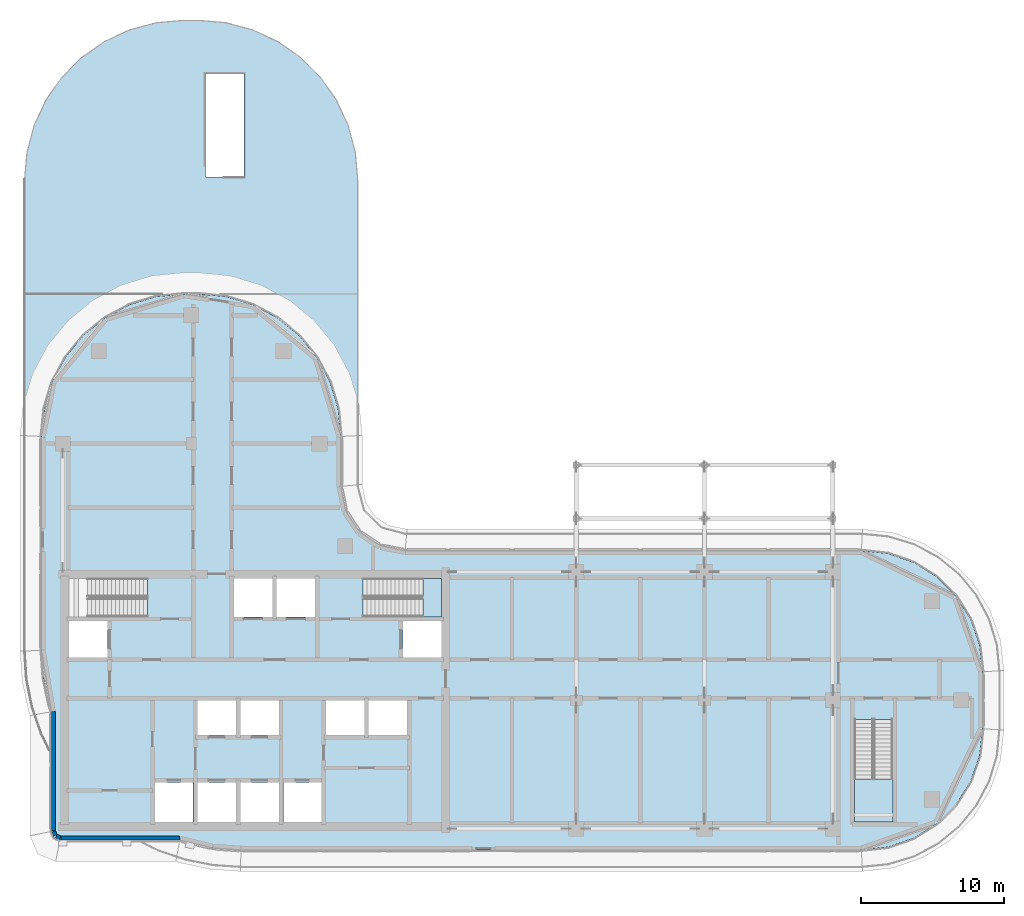
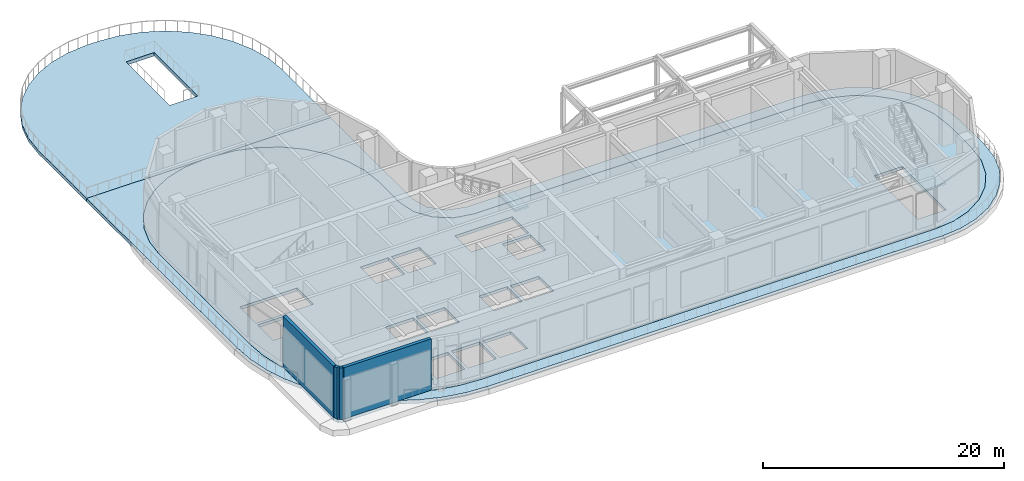
# One storey, part 3 of 18: 6 slabs, 4 walls, 2 elements without a shape of their own.
"""IFC4 building model written with IfcOpenShell, lengths in metres."""

from ifc_helpers import new_model, si_unit, direction, frame, frame_2d, origin, place, context, subcontext, project, spatial, polyline, rectangle, outline, extrude, material, layer, layer_set, type_object, element, aggregate, save


model = new_model("IFC4")

# Units and contexts
model_context = context("Model", 3, precision=1e-05, world=origin(), true_north=direction((0.0, 1.0)))
body_context = subcontext(model_context, "Body", "Model", "MODEL_VIEW")
ifc_project = project(units=[si_unit("LENGTHUNIT", "METRE"), si_unit("AREAUNIT", "SQUARE_METRE"), si_unit("VOLUMEUNIT", "CUBIC_METRE"), si_unit("PLANEANGLEUNIT", "RADIAN"), si_unit("MASSUNIT", "GRAM", prefix="KILO")], contexts=[model_context])

# Site, building, storey
site_placement = place(None, origin())
site = spatial("IfcSite", under=ifc_project, at=site_placement, CompositionType="ELEMENT")
building_placement = place(site_placement, origin())
building = spatial("IfcBuilding", under=site, at=building_placement, Name="Ogive Portal Towers", CompositionType="ELEMENT")
storey_placement = place(building_placement, frame((0.0, 0.0, 190.300048828125)))
storey = spatial("IfcBuildingStorey", under=building, at=storey_placement, Name="L47", CompositionType="ELEMENT", Elevation=190.300048828125)

# Stair, slab
ifc_material_1 = material(Name="Concrete C40/50", Category="concrete")
stair_type = type_object("IfcStairType", Name="INT-STAIR", PredefinedType="HALF_TURN_STAIR", material=ifc_material_1)
stair_1_placement = place(storey_placement, origin())
stair_1 = element("IfcStair", 1, at=stair_1_placement, inside=storey, type_object=stair_type, Name="L47 Exit Stair ST-A2", PredefinedType="HALF_TURN_STAIR")
ifc_layer_1 = layer(ifc_material_1, 0.199951171875)
ifc_layer_set_1 = layer_set([ifc_layer_1], Name="INT-LANDING")
slab_type_1 = type_object("IfcSlabType", Name="INT-LANDING", PredefinedType="LANDING", material=ifc_layer_set_1)
slab_1_placement = place(storey_placement, frame((0.0, 0.0, 2.550048828125)))
slab_1 = element("IfcSlab", 2, at=slab_1_placement, type_object=slab_type_1, Name="ST-A2 landing 1", PredefinedType="LANDING", context=body_context, shape_type="SweptSolid", body=[
    extrude(outline(polyline([(56.75, 36.35009765625), (58.050048828125, 36.35009765625), (58.050048828125, 39.050048828125), (56.75, 39.050048828125), (56.75, 36.35009765625)])), origin(), (0.0, 0.0, 1.0), 0.199951171875),
])
aggregate(stair_1, [slab_1])

stair_2_placement = place(storey_placement, origin())
stair_2 = element("IfcStair", 3, at=stair_2_placement, inside=storey, type_object=stair_type, Name="L47 Exit Stair ST-A4", PredefinedType="HALF_TURN_STAIR")
slab_2_placement = place(storey_placement, frame((0.0, 0.0, 2.550048828125)))
slab_2 = element("IfcSlab", 4, at=slab_2_placement, type_object=slab_type_1, Name="ST-A4 landing 1", PredefinedType="LANDING", context=body_context, shape_type="SweptSolid", body=[
    extrude(outline(polyline([(87.0, 24.969970703125), (87.0, 21.949951171875), (89.699951171875, 21.949951171875), (89.699951171875, 24.969970703125), (87.0, 24.969970703125)])), origin(), (0.0, 0.0, 1.0), 0.199951171875),
])
aggregate(stair_2, [slab_2])

# Slabs
ifc_material_2 = material(Name="Concrete C45/55", Category="concrete")
ifc_layer_2 = layer(ifc_material_2, 0.300048828125)
ifc_layer_set_2 = layer_set([ifc_layer_2], Name="PT FLAT PLATE 300")
slab_type_2 = type_object("IfcSlabType", Name="PT FLAT PLATE 300", PredefinedType="FLOOR", material=ifc_layer_set_2)
slab_3_placement = place(storey_placement, frame((0.0, 0.0, -0.300048828125)))
element("IfcSlab", 5, at=slab_3_placement, inside=storey, type_object=slab_type_2, Name="Floor slab L47", PredefinedType="FLOOR", context=body_context, shape_type="SweptSolid", body=[
    extrude(outline(polyline([(30.142578125, 32.007568359375), (30.567138671875, 30.0556640625), (30.699951171875, 29.699462890625), (30.699951171875, 21.300048828125), (30.875732421875, 20.875732421875), (31.300048828125, 20.699951171875), (39.699462890625, 20.699951171875), (40.0556640625, 20.567138671875), (42.007568359375, 20.142578125), (44.0, 20.0), (87.5, 20.0), (89.391357421875, 20.213134765625), (91.18798828125, 20.841796875), (92.7998046875, 21.8544921875), (94.1455078125, 23.2001953125), (95.158203125, 24.81201171875), (95.786865234375, 26.608642578125), (96.0, 28.5), (96.0, 32.5), (95.786865234375, 34.391357421875), (95.158203125, 36.18798828125), (94.1455078125, 37.7998046875), (92.7998046875, 39.1455078125), (91.18798828125, 40.158203125), (89.391357421875, 40.786865234375), (87.5, 41.0), (55.5, 41.0), (53.77783203125, 41.342529296875), (52.318115234375, 42.318115234375), (51.342529296875, 43.77783203125), (51.0, 45.5), (51.0, 49.0), (50.807861328125, 50.950927734375), (50.23876953125, 52.826904296875), (49.314697265625, 54.5556640625), (48.071044921875, 56.071044921875), (46.5556640625, 57.314697265625), (44.826904296875, 58.23876953125), (42.950927734375, 58.807861328125), (41.0, 59.0), (40.0, 59.0), (38.049072265625, 58.807861328125), (36.173095703125, 58.23876953125), (34.4443359375, 57.314697265625), (32.928955078125, 56.071044921875), (31.685302734375, 54.5556640625), (30.76123046875, 52.826904296875), (30.192138671875, 50.950927734375), (30.0, 49.0), (30.0, 34.0), (30.142578125, 32.007568359375)]), holes=[polyline([(40.6298828125, 21.969970703125), (37.969970703125, 21.969970703125), (37.969970703125, 24.72998046875), (40.6298828125, 24.72998046875), (40.6298828125, 21.969970703125)]), polyline([(43.64990234375, 24.75), (43.64990234375, 21.949951171875), (40.949951171875, 21.949951171875), (40.949951171875, 24.75), (43.64990234375, 24.75)]), polyline([(46.64990234375, 24.75), (46.64990234375, 21.949951171875), (43.949951171875, 21.949951171875), (43.949951171875, 24.75), (46.64990234375, 24.75)]), polyline([(43.64990234375, 30.5), (43.64990234375, 28.050048828125), (40.949951171875, 28.050048828125), (40.949951171875, 30.5), (43.64990234375, 30.5)]), polyline([(34.64990234375, 36.050048828125), (34.64990234375, 33.5), (31.949951171875, 33.5), (31.949951171875, 36.050048828125), (34.64990234375, 36.050048828125)]), polyline([(31.951904296875, 39.048095703125), (37.447998046875, 39.048095703125), (37.447998046875, 36.35205078125), (31.951904296875, 36.35205078125), (31.951904296875, 39.048095703125)]), polyline([(46.199951171875, 39.050048828125), (46.199951171875, 36.35009765625), (43.5, 36.35009765625), (43.5, 39.050048828125), (46.199951171875, 39.050048828125)]), polyline([(49.6298828125, 21.969970703125), (46.969970703125, 21.969970703125), (46.969970703125, 24.72998046875), (49.6298828125, 24.72998046875), (49.6298828125, 21.969970703125)]), polyline([(87.001953125, 21.951904296875), (87.001953125, 29.16796875), (89.697998046875, 29.16796875), (89.697998046875, 21.951904296875), (87.001953125, 21.951904296875)]), polyline([(46.64990234375, 30.5), (46.64990234375, 28.050048828125), (43.949951171875, 28.050048828125), (43.949951171875, 30.5), (46.64990234375, 30.5)]), polyline([(52.64990234375, 30.5), (52.64990234375, 28.050048828125), (49.949951171875, 28.050048828125), (49.949951171875, 30.5), (52.64990234375, 30.5)]), polyline([(55.64990234375, 30.5), (55.64990234375, 28.050048828125), (52.949951171875, 28.050048828125), (52.949951171875, 30.5), (55.64990234375, 30.5)]), polyline([(58.050048828125, 36.050048828125), (58.050048828125, 33.5), (55.35009765625, 33.5), (55.35009765625, 36.050048828125), (58.050048828125, 36.050048828125)]), polyline([(49.199951171875, 39.050048828125), (49.199951171875, 36.35009765625), (46.5, 36.35009765625), (46.5, 39.050048828125), (49.199951171875, 39.050048828125)]), polyline([(58.048095703125, 36.35205078125), (52.552001953125, 36.35205078125), (52.552001953125, 39.048095703125), (58.048095703125, 39.048095703125), (58.048095703125, 36.35205078125)])]), origin(), (0.0, 0.0, 1.0), 0.300048828125),
])
ifc_layer_3 = layer(ifc_material_1, 0.35009765625)
ifc_layer_set_3 = layer_set([ifc_layer_3], Name="ROOF SLAB 350")
slab_type_3 = type_object("IfcSlabType", Name="ROOF SLAB 350", PredefinedType="ROOF", material=ifc_layer_set_3)
slab_4_placement = place(storey_placement, frame((0.0, 0.0, -0.35009765625)))
element("IfcSlab", 6, at=slab_4_placement, inside=storey, type_object=slab_type_3, Name="Sky garden roof", PredefinedType="ROOF", context=body_context, shape_type="SweptSolid", body=[
    extrude(outline(polyline([(28.98974609375, 68.94140625), (29.494140625, 70.82373046875), (30.31787109375, 72.590087890625), (31.435546875, 74.186279296875), (32.813720703125, 75.564453125), (34.409912109375, 76.68212890625), (36.17626953125, 77.505859375), (38.05859375, 78.01025390625), (40.0, 78.179931640625), (41.0, 78.179931640625), (42.94140625, 78.01025390625), (44.82373046875, 77.505859375), (46.590087890625, 76.68212890625), (48.186279296875, 75.564453125), (49.564453125, 74.186279296875), (50.68212890625, 72.590087890625), (51.505859375, 70.82373046875), (52.01025390625, 68.94140625), (52.179931640625, 67.0), (52.179931640625, 59.0), (28.820068359375, 59.0), (28.820068359375, 67.0), (28.98974609375, 68.94140625)]), holes=[polyline([(41.501953125, 67.201904296875), (44.197998046875, 67.201904296875), (44.197998046875, 74.447998046875), (41.501953125, 74.447998046875), (41.501953125, 67.201904296875)])]), origin(), (0.0, 0.0, 1.0), 0.35009765625),
])
slab_5_placement = place(storey_placement, frame((0.0, 0.0, -0.35009765625)))
element("IfcSlab", 7, at=slab_5_placement, inside=storey, type_object=slab_type_3, Name="Wing S roof under stub", PredefinedType="ROOF", context=body_context, shape_type="SweptSolid", body=[
    extrude(outline(polyline([(28.949951171875, 32.0185546875), (28.820068359375, 34.0), (28.820068359375, 59.0), (40.0, 59.0), (38.049072265625, 58.807861328125), (36.173095703125, 58.23876953125), (34.4443359375, 57.314697265625), (32.928955078125, 56.071044921875), (31.685302734375, 54.5556640625), (30.76123046875, 52.826904296875), (30.192138671875, 50.950927734375), (30.0, 49.0), (30.0, 34.0), (30.142578125, 32.007568359375), (30.567138671875, 30.0556640625), (30.699951171875, 29.699462890625), (30.699951171875, 26.7216796875), (29.9755859375, 28.19091796875), (29.337158203125, 30.071044921875), (28.949951171875, 32.0185546875)])), origin(), (0.0, 0.0, 1.0), 0.35009765625),
])
slab_6_placement = place(storey_placement, frame((0.0, 0.0, -0.35009765625)))
element("IfcSlab", 8, at=slab_6_placement, inside=storey, type_object=slab_type_3, Name="Wing S roof under stub", PredefinedType="ROOF", context=body_context, shape_type="SweptSolid", body=[
    extrude(outline(polyline([(52.179931640625, 45.5), (52.624755859375, 43.840087890625), (53.840087890625, 42.624755859375), (55.5, 42.179931640625), (87.5, 42.179931640625), (89.388427734375, 41.993896484375), (91.204345703125, 41.443115234375), (92.8779296875, 40.548583984375), (94.3447265625, 39.3447265625), (95.548583984375, 37.8779296875), (96.443115234375, 36.204345703125), (96.993896484375, 34.388427734375), (97.179931640625, 32.5), (97.179931640625, 28.5), (96.993896484375, 26.611572265625), (96.443115234375, 24.795654296875), (95.548583984375, 23.1220703125), (94.3447265625, 21.6552734375), (92.8779296875, 20.451416015625), (91.204345703125, 19.556884765625), (89.388427734375, 19.006103515625), (87.5, 18.820068359375), (44.0, 18.820068359375), (42.0185546875, 18.949951171875), (40.071044921875, 19.337158203125), (38.19091796875, 19.9755859375), (36.7216796875, 20.699951171875), (39.699462890625, 20.699951171875), (40.0556640625, 20.567138671875), (42.007568359375, 20.142578125), (44.0, 20.0), (87.5, 20.0), (89.391357421875, 20.213134765625), (91.18798828125, 20.841796875), (92.799560546875, 21.8544921875), (94.1455078125, 23.200439453125), (95.158203125, 24.81201171875), (95.786865234375, 26.608642578125), (96.0, 28.5), (96.0, 32.5), (95.786865234375, 34.391357421875), (95.158203125, 36.18798828125), (94.1455078125, 37.799560546875), (92.799560546875, 39.1455078125), (91.18798828125, 40.158203125), (89.391357421875, 40.786865234375), (87.5, 41.0), (55.5, 41.0), (53.77783203125, 41.342529296875), (52.318115234375, 42.318115234375), (51.342529296875, 43.77783203125), (51.0, 45.5), (51.0, 49.0), (50.807861328125, 50.950927734375), (50.23876953125, 52.826904296875), (49.314697265625, 54.5556640625), (48.071044921875, 56.071044921875), (46.5556640625, 57.314697265625), (44.826904296875, 58.23876953125), (42.950927734375, 58.807861328125), (41.0, 59.0), (52.179931640625, 59.0), (52.179931640625, 45.5)])), origin(), (0.0, 0.0, 1.0), 0.35009765625),
])

# Walls
ifc_material_3 = material(Name="Limestone cladding on lightweight block wall", Category="masonry")
ifc_layer_4 = layer(ifc_material_3, 0.300048828125)
ifc_layer_set_4 = layer_set([ifc_layer_4], Name="EXTERNAL WALL 300 STONE")
wall_type = type_object("IfcWallType", Name="EXTERNAL WALL 300 STONE", PredefinedType="SOLIDWALL", material=ifc_layer_set_4)
wall_1_placement = place(storey_placement, frame((30.85009765625, 29.699462890625, 0.0), z_axis=(0.0, 0.0, 1.0), x_axis=(0.0, -1.0, 0.0)))
element("IfcWall", 9, at=wall_1_placement, inside=storey, type_object=wall_type, Name="A:L47:f00:r0:wall", PredefinedType="SOLIDWALL", context=body_context, shape_type="SweptSolid", body=[
    extrude(rectangle(XDim=8.33984375, YDim=0.300048828125, at=frame_2d((4.169921875, 0.0))), origin(), (0.0, 0.0, 1.0), 5.199951171875),
])
for number, where, z_axis, x_axis, name in (
    (10, (30.861328125, 21.30224609375, 0.0), (0.0, 0.0, 1.0), (0.38297812142, -0.923757413239, 0.0), "A:L47:f01:r0:wall"),
    (11, (31.0478515625, 20.966796875, 0.0), (0.0, 0.0, 1.0), (0.923757413239, -0.38297812142, 0.0), "A:L47:f02:r0:wall"),
):
    element("IfcWall", number, at=place(storey_placement, frame(where, z_axis=z_axis, x_axis=x_axis)), inside=storey, type_object=wall_type, Name=name, PredefinedType="SOLIDWALL", context=body_context, shape_type="SweptSolid", body=[
        extrude(rectangle(XDim=0.275390625, YDim=0.300048828125, at=frame_2d((0.1376953125, 0.0))), origin(), (0.0, 0.0, 1.0), 5.199951171875),
    ])
wall_2_placement = place(storey_placement, frame((31.359619140625, 20.85009765625, 0.0), z_axis=(0.0, 0.0, 1.0), x_axis=(1.0, 0.0, 0.0)))
element("IfcWall", 12, at=wall_2_placement, inside=storey, type_object=wall_type, Name="A:L47:f03:r0:wall", PredefinedType="SOLIDWALL", context=body_context, shape_type="SweptSolid", body=[
    extrude(rectangle(XDim=8.33984375, YDim=0.300048828125, at=frame_2d((4.169921875, 0.0))), origin(), (0.0, 0.0, 1.0), 5.199951171875),
])

save(model, "model.ifc")
